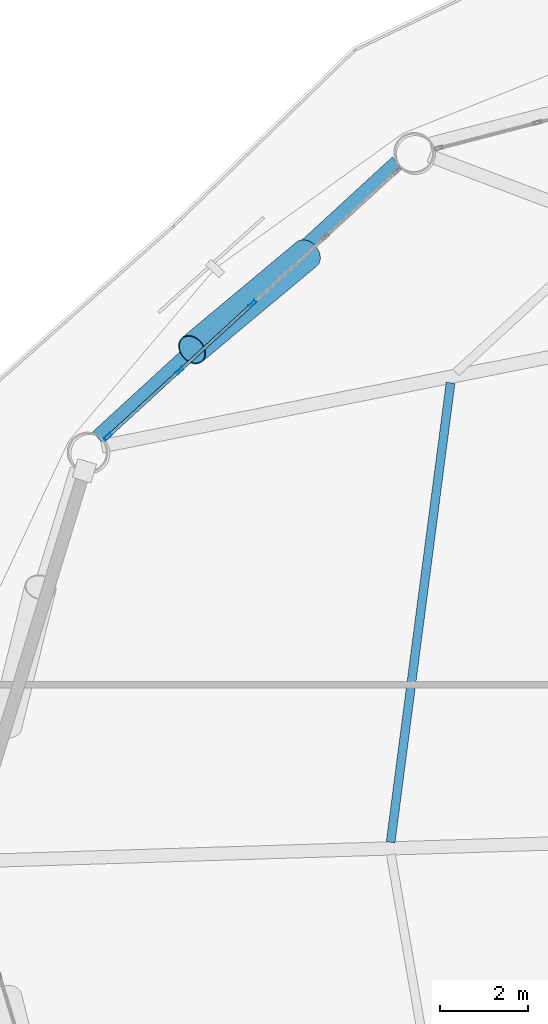
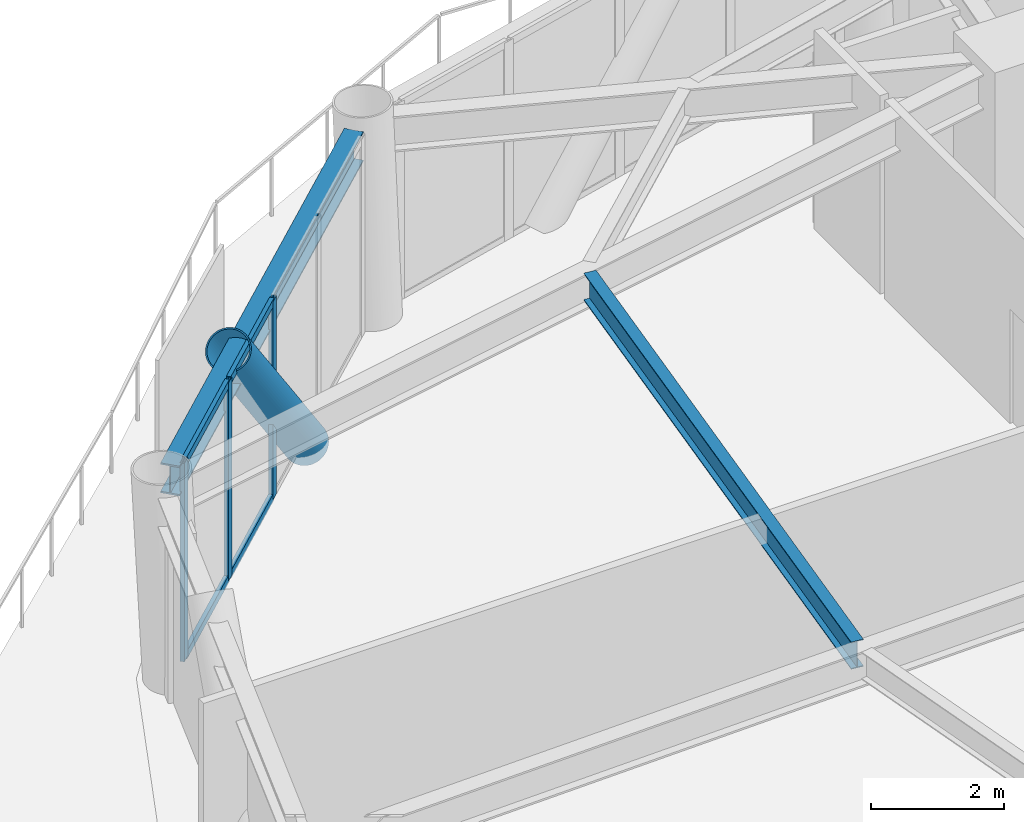
# One storey, part 11 of 23: 8 members, 2 beams, 1 element without a shape of its own.
"""IFC4 building model written with IfcOpenShell, lengths in metres."""

from ifc_helpers import new_model, si_unit, direction, frame, origin, origin_2d, place, context, subcontext, project, spatial, hollow_rectangle, hollow_circle, i_section, extrude, material, layer, layer_set, material_profile, profile_set, type_object, element, aggregate, save


model = new_model("IFC4")

# Units and contexts
model_context = context("Model", 3, precision=1e-05, world=origin(), true_north=direction((0.0, 1.0)))
body_context = subcontext(model_context, "Body", "Model", "MODEL_VIEW")
ifc_project = project(units=[si_unit("LENGTHUNIT", "METRE"), si_unit("AREAUNIT", "SQUARE_METRE"), si_unit("VOLUMEUNIT", "CUBIC_METRE"), si_unit("PLANEANGLEUNIT", "RADIAN"), si_unit("MASSUNIT", "GRAM", prefix="KILO")], contexts=[model_context])

# Site, building, storey
site_placement = place(None, origin())
site = spatial("IfcSite", under=ifc_project, at=site_placement, CompositionType="ELEMENT")
building_placement = place(site_placement, origin())
building = spatial("IfcBuilding", under=site, at=building_placement, Name="Varnakorn Sky Granary", CompositionType="ELEMENT")
storey_placement = place(building_placement, frame((0.0, 0.0, 31.5)))
storey = spatial("IfcBuildingStorey", under=building, at=storey_placement, Name="L07", CompositionType="ELEMENT", Elevation=31.5)

# Beams
ifc_material_1 = material(Name="Steel S355JR", Category="steel")
ifc_material_profile_1 = material_profile(ifc_material_1, i_section(OverallWidth=0.199951171875, OverallDepth=0.5, WebThickness=0.01025390625, FlangeThickness=0.01611328125, at=origin_2d()), Name="IPE 500")
ifc_profile_set_1 = profile_set([ifc_material_profile_1], Name="Steel S355JR")
beam_type_1 = type_object("IfcBeamType", Name="BM-SEC-Z1", PredefinedType="BEAM", material=ifc_profile_set_1)
beam_1_placement = place(storey_placement, frame((-10.752685546875, 10.82470703125, 3.389892578125), z_axis=(-0.129394989725, -0.99159313059, 0.0), x_axis=(0.99159313059, -0.129394989725, 0.0)))
element("IfcBeam", 1, at=beam_1_placement, inside=storey, type_object=beam_type_1, Name="Secondary Floor Chord Beam MSB06 L07", PredefinedType="BEAM", context=body_context, shape_type="SweptSolid", body=[
    extrude(i_section(OverallWidth=0.199951171875, OverallDepth=0.5, WebThickness=0.01025390625, FlangeThickness=0.01611328125, at=origin_2d()), origin(), (0.0, 0.0, 1.0), 10.4736328125),
])
ifc_material_profile_2 = material_profile(ifc_material_1, i_section(OverallWidth=0.300048828125, OverallDepth=0.550048828125, WebThickness=0.014892578125, FlangeThickness=0.029052734375, at=origin_2d()), Name="HE 550 B")
ifc_profile_set_2 = profile_set([ifc_material_profile_2], Name="Steel S355JR")
beam_type_2 = type_object("IfcBeamType", Name="BM-SPD-Z1", PredefinedType="SPANDREL", material=ifc_profile_set_2)
beam_2_placement = place(storey_placement, frame((-11.97021484375, 15.814697265625, 3.364990234375), z_axis=(-0.737015215485, -0.675876151483, 0.0), x_axis=(0.675876151483, -0.737015215485, 0.0)))
element("IfcBeam", 2, at=beam_2_placement, inside=storey, type_object=beam_type_2, Name="Perimeter Spandrel Ring Beam RB05 L07", PredefinedType="SPANDREL", context=body_context, shape_type="SweptSolid", body=[
    extrude(i_section(OverallWidth=0.300048828125, OverallDepth=0.550048828125, WebThickness=0.014892578125, FlangeThickness=0.029052734375, at=origin_2d()), origin(), (0.0, 0.0, 1.0), 9.1923828125),
])

# Curtain wall, members
ifc_material_2 = material(Name="Anodised Bronze Aluminium Alloy 6063-T6", Category="aluminium")
ifc_layer = layer(ifc_material_2, 0.18994140625, Name="Anodised Bronze Aluminium Alloy 6063-T6")
ifc_layer_set = layer_set([ifc_layer], Name="Anodised Bronze Aluminium Alloy 6063-T6")
curtain_wall_type = type_object("IfcCurtainWallType", Name="CW-FRM-1", PredefinedType="USERDEFINED", material=ifc_layer_set)
curtain_wall_placement = place(storey_placement, origin())
curtain_wall = element("IfcCurtainWall", 3, at=curtain_wall_placement, inside=storey, type_object=curtain_wall_type, Name="Unitised Curtain Wall CW3 CW-L07-B05", ObjectType="CURTAIN WALL", PredefinedType="USERDEFINED")
ifc_material_profile_3 = material_profile(ifc_material_2, hollow_rectangle(XDim=0.070068359375, YDim=0.18505859375, WallThickness=0.00390625, at=origin_2d()), Name="ALU MULL 70x185")
ifc_profile_set_3 = profile_set([ifc_material_profile_3], Name="Anodised Bronze Aluminium Alloy 6063-T6")
member_type_1 = type_object("IfcMemberType", Name="CW-FRM-1-MULL", PredefinedType="MULLION", material=ifc_profile_set_3)
member_1_placement = place(storey_placement, frame((-18.503173828125, 9.603759765625, 0.0), z_axis=(0.0, 0.0, 1.0), x_axis=(-0.676386704621, 0.736546689499, 0.0)))
member_1 = element("IfcMember", 4, at=member_1_placement, type_object=member_type_1, Name="CW3 mullion 1", PredefinedType="MULLION", context=body_context, shape_type="SweptSolid", body=[
    extrude(hollow_rectangle(XDim=0.070068359375, YDim=0.18505859375, WallThickness=0.00390625, at=origin_2d()), origin(), (0.0, 0.0, 1.0), 3.639892578125),
])
member_2_placement = place(storey_placement, frame((-16.879638671875, 11.0947265625, 0.0), z_axis=(0.0, 0.0, 1.0), x_axis=(-0.676386704621, 0.736546689499, 0.0)))
member_2 = element("IfcMember", 5, at=member_2_placement, type_object=member_type_1, Name="CW3 mullion 2", PredefinedType="MULLION", context=body_context, shape_type="SweptSolid", body=[
    extrude(hollow_rectangle(XDim=0.070068359375, YDim=0.18505859375, WallThickness=0.00390625, at=origin_2d()), origin(), (0.0, 0.0, 1.0), 3.639892578125),
])
member_3_placement = place(storey_placement, frame((-15.230712890625, 12.609130859375, 0.0), z_axis=(0.0, 0.0, 1.0), x_axis=(-0.676386704621, 0.736546689499, 0.0)))
member_3 = element("IfcMember", 6, at=member_3_placement, type_object=member_type_1, Name="CW3 mullion 3", PredefinedType="MULLION", context=body_context, shape_type="SweptSolid", body=[
    extrude(hollow_rectangle(XDim=0.070068359375, YDim=0.18505859375, WallThickness=0.00390625, at=origin_2d()), origin(), (0.0, 0.0, 1.0), 3.639892578125),
])
ifc_material_profile_4 = material_profile(ifc_material_2, hollow_rectangle(XDim=0.070068359375, YDim=0.139892578125, WallThickness=0.00341796875, at=origin_2d()), Name="ALU TRAN 70x140")
ifc_profile_set_4 = profile_set([ifc_material_profile_4], Name="Anodised Bronze Aluminium Alloy 6063-T6")
member_type_2 = type_object("IfcMemberType", Name="CW-FRM-1-TRAN", PredefinedType="USERDEFINED", material=ifc_profile_set_4)
member_4_placement = place(storey_placement, frame((-18.477294921875, 9.62744140625, 0.034912109375), z_axis=(0.736498483577, 0.676439194376, 0.0), x_axis=(-0.676439194376, 0.736498483577, 0.0)))
member_4 = element("IfcMember", 7, at=member_4_placement, type_object=member_type_2, Name="CW3 transom 1.1", ObjectType="TRANSOM", PredefinedType="USERDEFINED", context=body_context, shape_type="SweptSolid", body=[
    extrude(hollow_rectangle(XDim=0.070068359375, YDim=0.139892578125, WallThickness=0.00341796875, at=origin_2d()), origin(), (0.0, 0.0, 1.0), 2.134033203125),
])
member_5_placement = place(storey_placement, frame((-18.477294921875, 9.62744140625, 3.60498046875), z_axis=(0.736498483577, 0.676439194376, 0.0), x_axis=(-0.676439194376, 0.736498483577, 0.0)))
member_5 = element("IfcMember", 8, at=member_5_placement, type_object=member_type_2, Name="CW3 transom 1.2", ObjectType="TRANSOM", PredefinedType="USERDEFINED", context=body_context, shape_type="SweptSolid", body=[
    extrude(hollow_rectangle(XDim=0.070068359375, YDim=0.139892578125, WallThickness=0.00341796875, at=origin_2d()), origin(), (0.0, 0.0, 1.0), 2.134033203125),
])
member_6_placement = place(storey_placement, frame((-16.85400390625, 11.118408203125, 0.034912109375), z_axis=(0.736574518081, 0.676356399625, 0.0), x_axis=(-0.676356399625, 0.736574518081, 0.0)))
member_6 = element("IfcMember", 9, at=member_6_placement, type_object=member_type_2, Name="CW3 transom 2.1", ObjectType="TRANSOM", PredefinedType="USERDEFINED", context=body_context, shape_type="SweptSolid", body=[
    extrude(hollow_rectangle(XDim=0.070068359375, YDim=0.139892578125, WallThickness=0.00341796875, at=origin_2d()), origin(), (0.0, 0.0, 1.0), 2.1689453125),
])
member_7_placement = place(storey_placement, frame((-16.85400390625, 11.118408203125, 3.60498046875), z_axis=(0.736574518081, 0.676356399625, 0.0), x_axis=(-0.676356399625, 0.736574518081, 0.0)))
member_7 = element("IfcMember", 10, at=member_7_placement, type_object=member_type_2, Name="CW3 transom 2.2", ObjectType="TRANSOM", PredefinedType="USERDEFINED", context=body_context, shape_type="SweptSolid", body=[
    extrude(hollow_rectangle(XDim=0.070068359375, YDim=0.139892578125, WallThickness=0.00341796875, at=origin_2d()), origin(), (0.0, 0.0, 1.0), 2.1689453125),
])
aggregate(curtain_wall, [member_1, member_2, member_3, member_4, member_5, member_6, member_7])

# Member
ifc_material_3 = material(Name="Steel S460M", Category="steel")
ifc_material_profile_5 = material_profile(ifc_material_3, hollow_circle(Radius=0.35546875, WallThickness=0.02490234375, at=origin_2d()), Name="CHS 711x25")
ifc_profile_set_5 = profile_set([ifc_material_profile_5], Name="Steel S460M")
member_type_3 = type_object("IfcMemberType", Name="MB-DIAG-T0", PredefinedType="BRACE", material=ifc_profile_set_5)
member_8_placement = place(storey_placement, frame((-14.004150390625, 13.7353515625, -0.1298828125), z_axis=(-0.500962210966, -0.418034888122, 0.757815080014), x_axis=(0.640696551773, -0.767794196739, 0.0)))
element("IfcMember", 11, at=member_8_placement, inside=storey, type_object=member_type_3, Name="Perimeter CHS Diagrid Brace DG05 L07", PredefinedType="BRACE", context=body_context, shape_type="SweptSolid", body=[
    extrude(hollow_circle(Radius=0.35546875, WallThickness=0.02490234375, at=origin_2d()), origin(), (0.0, 0.0, 1.0), 5.172607421875),
])

save(model, "model.ifc")
